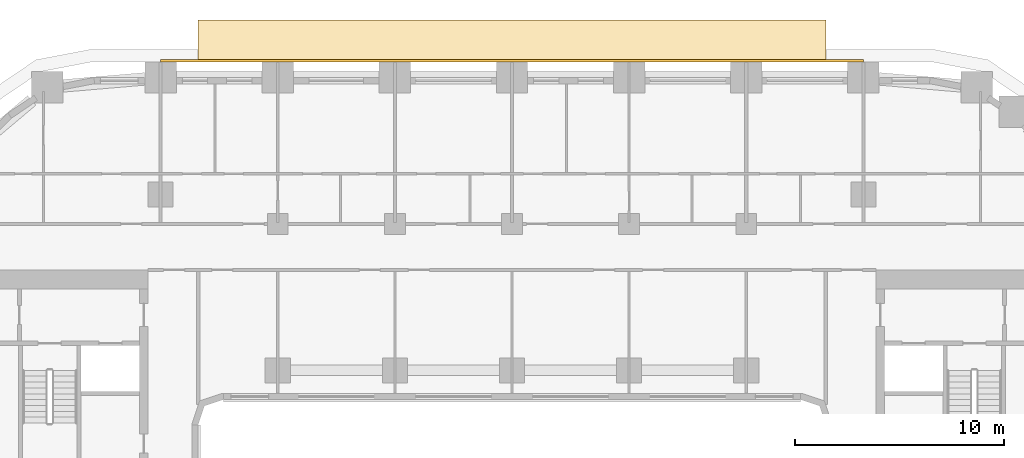
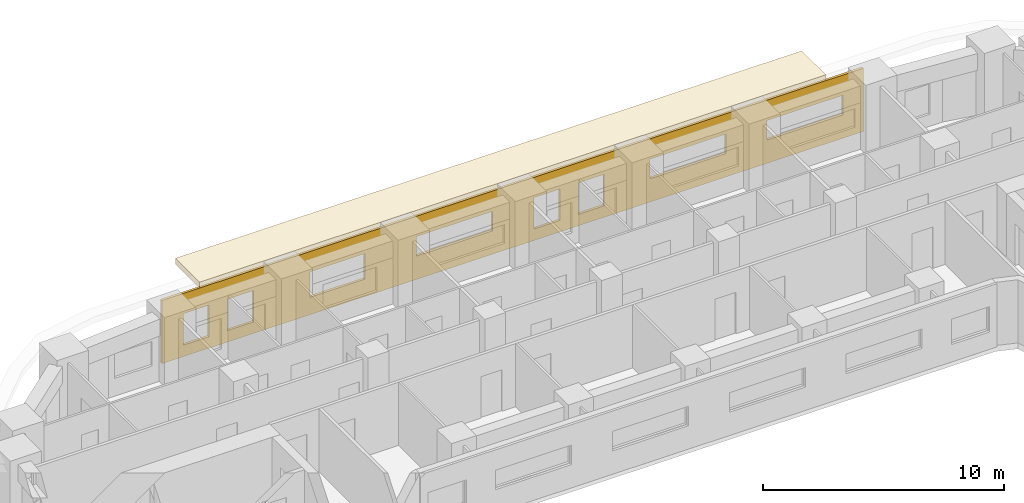
# One storey, part 20 of 21: 2 coverings.
"""IFC4 building model written with IfcOpenShell, lengths in metres."""

from ifc_helpers import new_model, si_unit, direction, frame, origin, place, context, subcontext, project, spatial, polyline, outline, extrude, material, layer, layer_set, type_object, element, save


model = new_model("IFC4")

# Units and contexts
model_context = context("Model", 3, precision=1e-05, world=origin(), true_north=direction((0.0, 1.0)))
body_context = subcontext(model_context, "Body", "Model", "MODEL_VIEW")
ifc_project = project(units=[si_unit("LENGTHUNIT", "METRE"), si_unit("AREAUNIT", "SQUARE_METRE"), si_unit("VOLUMEUNIT", "CUBIC_METRE"), si_unit("PLANEANGLEUNIT", "RADIAN"), si_unit("MASSUNIT", "GRAM", prefix="KILO")], contexts=[model_context])

# Site, building, storey
site_placement = place(None, origin())
site = spatial("IfcSite", under=ifc_project, at=site_placement, CompositionType="ELEMENT")
building_placement = place(site_placement, origin())
building = spatial("IfcBuilding", under=site, at=building_placement, Name="Kiln Ring Residences", CompositionType="ELEMENT")
storey_placement = place(building_placement, frame((0.0, 0.0, 34.0)))
storey = spatial("IfcBuildingStorey", under=building, at=storey_placement, Name="L07", CompositionType="ELEMENT", Elevation=34.0)

# Coverings
ifc_material_1 = material(Name="Brick masonry, dark clay brick", Category="masonry")
ifc_layer_1 = layer(ifc_material_1, 0.1201171875)
ifc_layer_set_1 = layer_set([ifc_layer_1], Name="RAINSCREEN PANEL 120")
covering_type_1 = type_object("IfcCoveringType", Name="RAINSCREEN PANEL 120", PredefinedType="CLADDING", material=ifc_layer_set_1)
covering_1_placement = place(storey_placement, frame((16.800048828125, 23.2099609375, 0.0), z_axis=(0.0, 0.0, 1.0), x_axis=(-1.0, 0.0, 0.0)))
element("IfcCovering", 1, at=covering_1_placement, inside=storey, type_object=covering_type_1, Name="RAINSCREEN L07", PredefinedType="CLADDING", context=body_context, shape_type="SweptSolid", body=[
    extrude(outline(polyline([(0.0, 0.0), (33.60009765625, 0.0), (33.60009765625, 3.199951171875), (0.0, 3.199951171875), (0.0, 0.0)]), holes=[polyline([(12.41748046875, 0.580078125), (13.657470703125, 0.580078125), (13.657470703125, 2.169921875), (12.41748046875, 2.169921875), (12.41748046875, 0.580078125)]), polyline([(14.54248046875, 0.580078125), (15.782470703125, 0.580078125), (15.782470703125, 2.169921875), (14.54248046875, 2.169921875), (14.54248046875, 0.580078125)]), polyline([(29.217529296875, 0.580078125), (30.45751953125, 0.580078125), (30.45751953125, 2.169921875), (29.217529296875, 2.169921875), (29.217529296875, 0.580078125)]), polyline([(31.342529296875, 0.580078125), (32.58251953125, 0.580078125), (32.58251953125, 2.169921875), (31.342529296875, 2.169921875), (31.342529296875, 0.580078125)]), polyline([(23.8798828125, 0.8798828125), (26.52001953125, 0.8798828125), (26.52001953125, 2.169921875), (23.8798828125, 2.169921875), (23.8798828125, 0.8798828125)]), polyline([(0.97998046875, 1.179931640625), (4.6201171875, 1.179931640625), (4.6201171875, 2.169921875), (0.97998046875, 2.169921875), (0.97998046875, 1.179931640625)]), polyline([(6.580078125, 1.179931640625), (10.219970703125, 1.179931640625), (10.219970703125, 2.169921875), (6.580078125, 2.169921875), (6.580078125, 1.179931640625)]), polyline([(17.780029296875, 1.179931640625), (21.419921875, 1.179931640625), (21.419921875, 2.169921875), (17.780029296875, 2.169921875), (17.780029296875, 1.179931640625)])]), frame((0.0, 0.06005859375, 0.0), z_axis=(0.0, -1.0, 0.0), x_axis=(1.0, 0.0, 0.0)), (0.0, 0.0, 1.0), 0.1201171875),
])
ifc_material_2 = material(Name="Black powder-coated steel", Category="steel")
ifc_layer_2 = layer(ifc_material_2, 0.300048828125)
ifc_layer_set_2 = layer_set([ifc_layer_2], Name="SUNSHADE BAND 2000")
covering_type_2 = type_object("IfcCoveringType", Name="SUNSHADE BAND 2000", PredefinedType="CLADDING", material=ifc_layer_set_2)
covering_2_placement = place(storey_placement, frame((0.0, 0.0, 3.199951171875)))
element("IfcCovering", 2, at=covering_2_placement, inside=storey, type_object=covering_type_2, Name="SUNSHADE BAND L07", PredefinedType="CLADDING", context=body_context, shape_type="SweptSolid", body=[
    extrude(outline(polyline([(15.0, 25.14990234375), (-15.0, 25.14990234375), (-15.0, 23.14990234375), (15.0, 23.14990234375), (15.0, 25.14990234375)])), origin(), (0.0, 0.0, 1.0), 0.300048828125),
])

save(model, "model.ifc")
